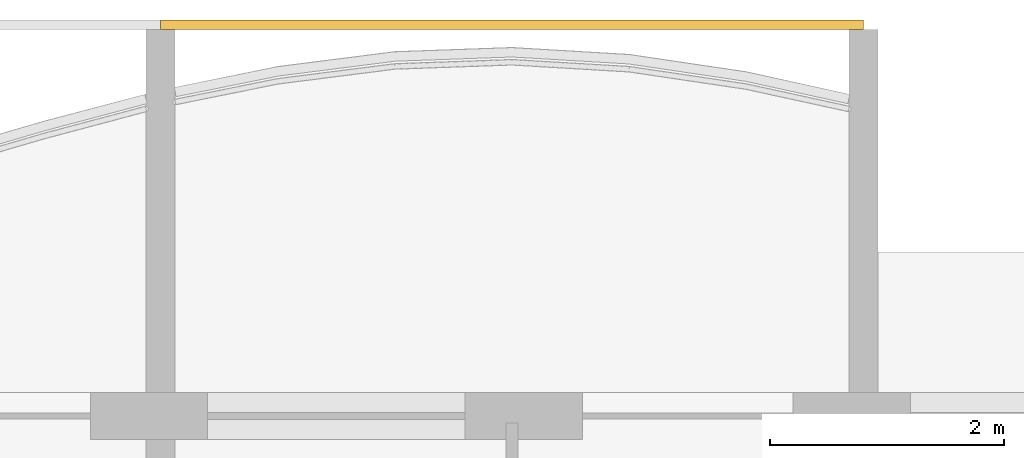
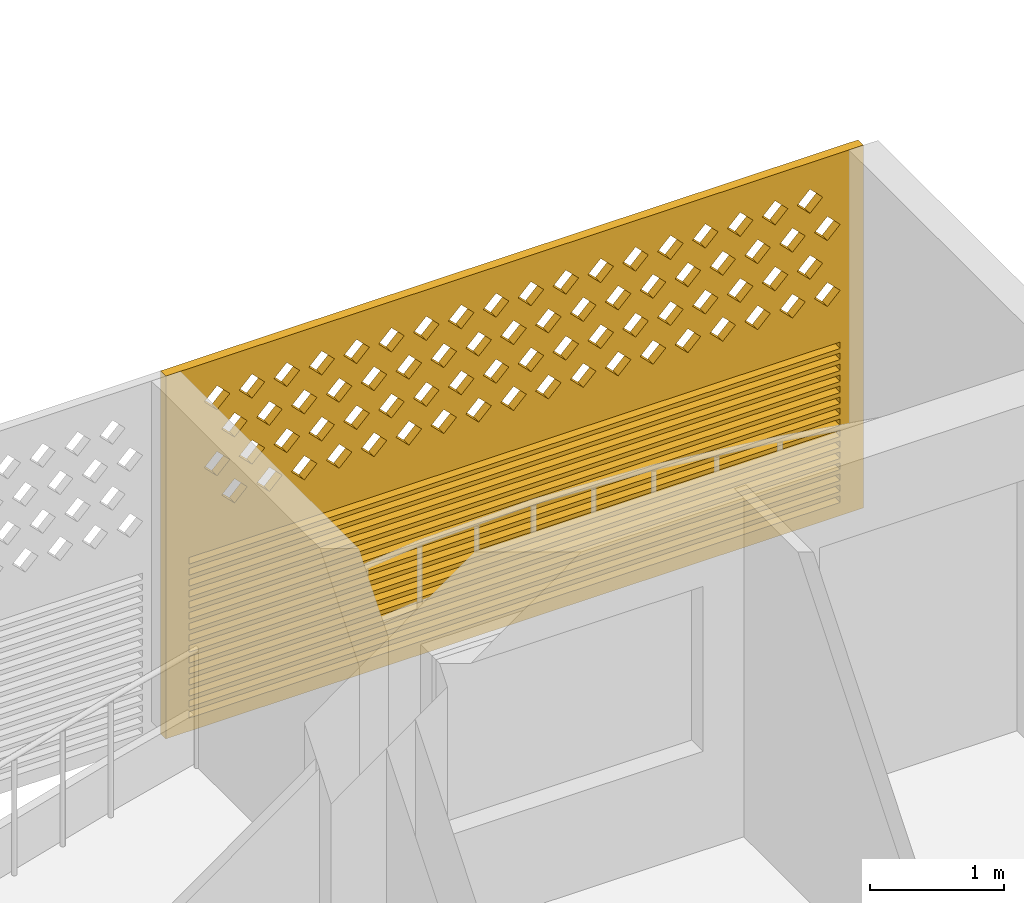
# One storey, part 22 of 26: 1 covering.
"""IFC4 building model written with IfcOpenShell, lengths in metres."""

from ifc_helpers import new_model, si_unit, direction, frame, origin, place, context, subcontext, project, spatial, polyline, outline, extrude, source, transform, mapped, material, material_profile, profile_set, type_object, element, save


model = new_model("IFC4")

# Units and contexts
model_context = context("Model", 3, precision=1e-05, world=origin(), true_north=direction((0.0, 1.0)))
body_context = subcontext(model_context, "Body", "Model", "MODEL_VIEW")
ifc_project = project(units=[si_unit("LENGTHUNIT", "METRE"), si_unit("AREAUNIT", "SQUARE_METRE"), si_unit("VOLUMEUNIT", "CUBIC_METRE"), si_unit("PLANEANGLEUNIT", "RADIAN"), si_unit("MASSUNIT", "GRAM", prefix="KILO")], contexts=[model_context])

# Site, building, storey
site_placement = place(None, origin())
site = spatial("IfcSite", under=ifc_project, at=site_placement, CompositionType="ELEMENT")
building_placement = place(site_placement, origin())
building = spatial("IfcBuilding", under=site, at=building_placement, Name="Poui Terraces", CompositionType="ELEMENT")
storey_placement = place(building_placement, frame((0.0, 0.0, 171.89990234375)))
storey = spatial("IfcBuildingStorey", under=building, at=storey_placement, Name="L47", CompositionType="ELEMENT", Elevation=171.89990234375)

# Covering
ifc_material = material(Name="Terracotta screen", Category="masonry")
ifc_material_profile = material_profile(ifc_material, outline(polyline([(-3.0, -1.64990234375), (3.0, -1.64990234375), (3.0, 1.64990234375), (-3.0, 1.64990234375), (-3.0, -1.64990234375)]), holes=[polyline([(-2.800048828125, 0.39990234375), (-2.68994140625, 0.2900390625), (-2.580078125, 0.39990234375), (-2.68994140625, 0.510009765625), (-2.800048828125, 0.39990234375)]), polyline([(-2.5, 0.39990234375), (-2.389892578125, 0.2900390625), (-2.280029296875, 0.39990234375), (-2.389892578125, 0.510009765625), (-2.5, 0.39990234375)]), polyline([(-2.199951171875, 0.39990234375), (-2.090087890625, 0.2900390625), (-1.97998046875, 0.39990234375), (-2.090087890625, 0.510009765625), (-2.199951171875, 0.39990234375)]), polyline([(-1.89990234375, 0.39990234375), (-1.7900390625, 0.2900390625), (-1.679931640625, 0.39990234375), (-1.7900390625, 0.510009765625), (-1.89990234375, 0.39990234375)]), polyline([(-1.60009765625, 0.39990234375), (-1.489990234375, 0.2900390625), (-1.3798828125, 0.39990234375), (-1.489990234375, 0.510009765625), (-1.60009765625, 0.39990234375)]), polyline([(-1.300048828125, 0.39990234375), (-1.18994140625, 0.2900390625), (-1.080078125, 0.39990234375), (-1.18994140625, 0.510009765625), (-1.300048828125, 0.39990234375)]), polyline([(-1.0, 0.39990234375), (-0.889892578125, 0.2900390625), (-0.780029296875, 0.39990234375), (-0.889892578125, 0.510009765625), (-1.0, 0.39990234375)]), polyline([(-0.699951171875, 0.39990234375), (-0.590087890625, 0.2900390625), (-0.47998046875, 0.39990234375), (-0.590087890625, 0.510009765625), (-0.699951171875, 0.39990234375)]), polyline([(-0.39990234375, 0.39990234375), (-0.2900390625, 0.2900390625), (-0.179931640625, 0.39990234375), (-0.2900390625, 0.510009765625), (-0.39990234375, 0.39990234375)]), polyline([(-0.10009765625, 0.39990234375), (0.010009765625, 0.2900390625), (0.1201171875, 0.39990234375), (0.010009765625, 0.510009765625), (-0.10009765625, 0.39990234375)]), polyline([(0.199951171875, 0.39990234375), (0.31005859375, 0.2900390625), (0.419921875, 0.39990234375), (0.31005859375, 0.510009765625), (0.199951171875, 0.39990234375)]), polyline([(0.5, 0.39990234375), (0.610107421875, 0.2900390625), (0.719970703125, 0.39990234375), (0.610107421875, 0.510009765625), (0.5, 0.39990234375)]), polyline([(0.800048828125, 0.39990234375), (0.909912109375, 0.2900390625), (1.02001953125, 0.39990234375), (0.909912109375, 0.510009765625), (0.800048828125, 0.39990234375)]), polyline([(1.10009765625, 0.39990234375), (1.2099609375, 0.2900390625), (1.320068359375, 0.39990234375), (1.2099609375, 0.510009765625), (1.10009765625, 0.39990234375)]), polyline([(1.39990234375, 0.39990234375), (1.510009765625, 0.2900390625), (1.6201171875, 0.39990234375), (1.510009765625, 0.510009765625), (1.39990234375, 0.39990234375)]), polyline([(1.699951171875, 0.39990234375), (1.81005859375, 0.2900390625), (1.919921875, 0.39990234375), (1.81005859375, 0.510009765625), (1.699951171875, 0.39990234375)]), polyline([(2.0, 0.39990234375), (2.110107421875, 0.2900390625), (2.219970703125, 0.39990234375), (2.110107421875, 0.510009765625), (2.0, 0.39990234375)]), polyline([(2.300048828125, 0.39990234375), (2.409912109375, 0.2900390625), (2.52001953125, 0.39990234375), (2.409912109375, 0.510009765625), (2.300048828125, 0.39990234375)]), polyline([(-2.64990234375, 0.699951171875), (-2.5400390625, 0.590087890625), (-2.429931640625, 0.699951171875), (-2.5400390625, 0.81005859375), (-2.64990234375, 0.699951171875)]), polyline([(-2.35009765625, 0.699951171875), (-2.239990234375, 0.590087890625), (-2.1298828125, 0.699951171875), (-2.239990234375, 0.81005859375), (-2.35009765625, 0.699951171875)]), polyline([(-2.050048828125, 0.699951171875), (-1.93994140625, 0.590087890625), (-1.830078125, 0.699951171875), (-1.93994140625, 0.81005859375), (-2.050048828125, 0.699951171875)]), polyline([(-1.75, 0.699951171875), (-1.639892578125, 0.590087890625), (-1.530029296875, 0.699951171875), (-1.639892578125, 0.81005859375), (-1.75, 0.699951171875)]), polyline([(-1.449951171875, 0.699951171875), (-1.340087890625, 0.590087890625), (-1.22998046875, 0.699951171875), (-1.340087890625, 0.81005859375), (-1.449951171875, 0.699951171875)]), polyline([(-1.14990234375, 0.699951171875), (-1.0400390625, 0.590087890625), (-0.929931640625, 0.699951171875), (-1.0400390625, 0.81005859375), (-1.14990234375, 0.699951171875)]), polyline([(-0.85009765625, 0.699951171875), (-0.739990234375, 0.590087890625), (-0.6298828125, 0.699951171875), (-0.739990234375, 0.81005859375), (-0.85009765625, 0.699951171875)]), polyline([(-0.550048828125, 0.699951171875), (-0.43994140625, 0.590087890625), (-0.330078125, 0.699951171875), (-0.43994140625, 0.81005859375), (-0.550048828125, 0.699951171875)]), polyline([(-0.25, 0.699951171875), (-0.139892578125, 0.590087890625), (-0.030029296875, 0.699951171875), (-0.139892578125, 0.81005859375), (-0.25, 0.699951171875)]), polyline([(0.050048828125, 0.699951171875), (0.159912109375, 0.590087890625), (0.27001953125, 0.699951171875), (0.159912109375, 0.81005859375), (0.050048828125, 0.699951171875)]), polyline([(0.35009765625, 0.699951171875), (0.4599609375, 0.590087890625), (0.570068359375, 0.699951171875), (0.4599609375, 0.81005859375), (0.35009765625, 0.699951171875)]), polyline([(0.64990234375, 0.699951171875), (0.760009765625, 0.590087890625), (0.8701171875, 0.699951171875), (0.760009765625, 0.81005859375), (0.64990234375, 0.699951171875)]), polyline([(0.949951171875, 0.699951171875), (1.06005859375, 0.590087890625), (1.169921875, 0.699951171875), (1.06005859375, 0.81005859375), (0.949951171875, 0.699951171875)]), polyline([(1.25, 0.699951171875), (1.360107421875, 0.590087890625), (1.469970703125, 0.699951171875), (1.360107421875, 0.81005859375), (1.25, 0.699951171875)]), polyline([(1.550048828125, 0.699951171875), (1.659912109375, 0.590087890625), (1.77001953125, 0.699951171875), (1.659912109375, 0.81005859375), (1.550048828125, 0.699951171875)]), polyline([(1.85009765625, 0.699951171875), (1.9599609375, 0.590087890625), (2.070068359375, 0.699951171875), (1.9599609375, 0.81005859375), (1.85009765625, 0.699951171875)]), polyline([(2.14990234375, 0.699951171875), (2.260009765625, 0.590087890625), (2.3701171875, 0.699951171875), (2.260009765625, 0.81005859375), (2.14990234375, 0.699951171875)]), polyline([(2.449951171875, 0.699951171875), (2.56005859375, 0.590087890625), (2.669921875, 0.699951171875), (2.56005859375, 0.81005859375), (2.449951171875, 0.699951171875)]), polyline([(-2.800048828125, 1.0), (-2.68994140625, 0.889892578125), (-2.580078125, 1.0), (-2.68994140625, 1.110107421875), (-2.800048828125, 1.0)]), polyline([(-2.5, 1.0), (-2.389892578125, 0.889892578125), (-2.280029296875, 1.0), (-2.389892578125, 1.110107421875), (-2.5, 1.0)]), polyline([(-2.199951171875, 1.0), (-2.090087890625, 0.889892578125), (-1.97998046875, 1.0), (-2.090087890625, 1.110107421875), (-2.199951171875, 1.0)]), polyline([(-1.89990234375, 1.0), (-1.7900390625, 0.889892578125), (-1.679931640625, 1.0), (-1.7900390625, 1.110107421875), (-1.89990234375, 1.0)]), polyline([(-1.60009765625, 1.0), (-1.489990234375, 0.889892578125), (-1.3798828125, 1.0), (-1.489990234375, 1.110107421875), (-1.60009765625, 1.0)]), polyline([(-1.300048828125, 1.0), (-1.18994140625, 0.889892578125), (-1.080078125, 1.0), (-1.18994140625, 1.110107421875), (-1.300048828125, 1.0)]), polyline([(-1.0, 1.0), (-0.889892578125, 0.889892578125), (-0.780029296875, 1.0), (-0.889892578125, 1.110107421875), (-1.0, 1.0)]), polyline([(-0.699951171875, 1.0), (-0.590087890625, 0.889892578125), (-0.47998046875, 1.0), (-0.590087890625, 1.110107421875), (-0.699951171875, 1.0)]), polyline([(-0.39990234375, 1.0), (-0.2900390625, 0.889892578125), (-0.179931640625, 1.0), (-0.2900390625, 1.110107421875), (-0.39990234375, 1.0)]), polyline([(-0.10009765625, 1.0), (0.010009765625, 0.889892578125), (0.1201171875, 1.0), (0.010009765625, 1.110107421875), (-0.10009765625, 1.0)]), polyline([(0.199951171875, 1.0), (0.31005859375, 0.889892578125), (0.419921875, 1.0), (0.31005859375, 1.110107421875), (0.199951171875, 1.0)]), polyline([(0.5, 1.0), (0.610107421875, 0.889892578125), (0.719970703125, 1.0), (0.610107421875, 1.110107421875), (0.5, 1.0)]), polyline([(0.800048828125, 1.0), (0.909912109375, 0.889892578125), (1.02001953125, 1.0), (0.909912109375, 1.110107421875), (0.800048828125, 1.0)]), polyline([(1.10009765625, 1.0), (1.2099609375, 0.889892578125), (1.320068359375, 1.0), (1.2099609375, 1.110107421875), (1.10009765625, 1.0)]), polyline([(1.39990234375, 1.0), (1.510009765625, 0.889892578125), (1.6201171875, 1.0), (1.510009765625, 1.110107421875), (1.39990234375, 1.0)]), polyline([(1.699951171875, 1.0), (1.81005859375, 0.889892578125), (1.919921875, 1.0), (1.81005859375, 1.110107421875), (1.699951171875, 1.0)]), polyline([(2.0, 1.0), (2.110107421875, 0.889892578125), (2.219970703125, 1.0), (2.110107421875, 1.110107421875), (2.0, 1.0)]), polyline([(2.300048828125, 1.0), (2.409912109375, 0.889892578125), (2.52001953125, 1.0), (2.409912109375, 1.110107421875), (2.300048828125, 1.0)]), polyline([(-2.64990234375, 1.300048828125), (-2.5400390625, 1.18994140625), (-2.429931640625, 1.300048828125), (-2.5400390625, 1.409912109375), (-2.64990234375, 1.300048828125)]), polyline([(-2.35009765625, 1.300048828125), (-2.239990234375, 1.18994140625), (-2.1298828125, 1.300048828125), (-2.239990234375, 1.409912109375), (-2.35009765625, 1.300048828125)]), polyline([(-2.050048828125, 1.300048828125), (-1.93994140625, 1.18994140625), (-1.830078125, 1.300048828125), (-1.93994140625, 1.409912109375), (-2.050048828125, 1.300048828125)]), polyline([(-1.75, 1.300048828125), (-1.639892578125, 1.18994140625), (-1.530029296875, 1.300048828125), (-1.639892578125, 1.409912109375), (-1.75, 1.300048828125)]), polyline([(-1.449951171875, 1.300048828125), (-1.340087890625, 1.18994140625), (-1.22998046875, 1.300048828125), (-1.340087890625, 1.409912109375), (-1.449951171875, 1.300048828125)]), polyline([(-1.14990234375, 1.300048828125), (-1.0400390625, 1.18994140625), (-0.929931640625, 1.300048828125), (-1.0400390625, 1.409912109375), (-1.14990234375, 1.300048828125)]), polyline([(-0.85009765625, 1.300048828125), (-0.739990234375, 1.18994140625), (-0.6298828125, 1.300048828125), (-0.739990234375, 1.409912109375), (-0.85009765625, 1.300048828125)]), polyline([(-0.550048828125, 1.300048828125), (-0.43994140625, 1.18994140625), (-0.330078125, 1.300048828125), (-0.43994140625, 1.409912109375), (-0.550048828125, 1.300048828125)]), polyline([(-0.25, 1.300048828125), (-0.139892578125, 1.18994140625), (-0.030029296875, 1.300048828125), (-0.139892578125, 1.409912109375), (-0.25, 1.300048828125)]), polyline([(0.050048828125, 1.300048828125), (0.159912109375, 1.18994140625), (0.27001953125, 1.300048828125), (0.159912109375, 1.409912109375), (0.050048828125, 1.300048828125)]), polyline([(0.35009765625, 1.300048828125), (0.4599609375, 1.18994140625), (0.570068359375, 1.300048828125), (0.4599609375, 1.409912109375), (0.35009765625, 1.300048828125)]), polyline([(0.64990234375, 1.300048828125), (0.760009765625, 1.18994140625), (0.8701171875, 1.300048828125), (0.760009765625, 1.409912109375), (0.64990234375, 1.300048828125)]), polyline([(0.949951171875, 1.300048828125), (1.06005859375, 1.18994140625), (1.169921875, 1.300048828125), (1.06005859375, 1.409912109375), (0.949951171875, 1.300048828125)]), polyline([(1.25, 1.300048828125), (1.360107421875, 1.18994140625), (1.469970703125, 1.300048828125), (1.360107421875, 1.409912109375), (1.25, 1.300048828125)]), polyline([(1.550048828125, 1.300048828125), (1.659912109375, 1.18994140625), (1.77001953125, 1.300048828125), (1.659912109375, 1.409912109375), (1.550048828125, 1.300048828125)]), polyline([(1.85009765625, 1.300048828125), (1.9599609375, 1.18994140625), (2.070068359375, 1.300048828125), (1.9599609375, 1.409912109375), (1.85009765625, 1.300048828125)]), polyline([(2.14990234375, 1.300048828125), (2.260009765625, 1.18994140625), (2.3701171875, 1.300048828125), (2.260009765625, 1.409912109375), (2.14990234375, 1.300048828125)]), polyline([(2.449951171875, 1.300048828125), (2.56005859375, 1.18994140625), (2.669921875, 1.300048828125), (2.56005859375, 1.409912109375), (2.449951171875, 1.300048828125)]), polyline([(-2.800048828125, -1.530029296875), (2.800048828125, -1.530029296875), (2.800048828125, -1.469970703125), (-2.800048828125, -1.469970703125), (-2.800048828125, -1.530029296875)]), polyline([(-2.800048828125, -1.429931640625), (2.800048828125, -1.429931640625), (2.800048828125, -1.3701171875), (-2.800048828125, -1.3701171875), (-2.800048828125, -1.429931640625)]), polyline([(-2.800048828125, -1.330078125), (2.800048828125, -1.330078125), (2.800048828125, -1.27001953125), (-2.800048828125, -1.27001953125), (-2.800048828125, -1.330078125)]), polyline([(-2.800048828125, -1.22998046875), (2.800048828125, -1.22998046875), (2.800048828125, -1.169921875), (-2.800048828125, -1.169921875), (-2.800048828125, -1.22998046875)]), polyline([(-2.800048828125, -1.1298828125), (2.800048828125, -1.1298828125), (2.800048828125, -1.070068359375), (-2.800048828125, -1.070068359375), (-2.800048828125, -1.1298828125)]), polyline([(-2.800048828125, -1.030029296875), (2.800048828125, -1.030029296875), (2.800048828125, -0.969970703125), (-2.800048828125, -0.969970703125), (-2.800048828125, -1.030029296875)]), polyline([(-2.800048828125, -0.929931640625), (2.800048828125, -0.929931640625), (2.800048828125, -0.8701171875), (-2.800048828125, -0.8701171875), (-2.800048828125, -0.929931640625)]), polyline([(-2.800048828125, -0.830078125), (2.800048828125, -0.830078125), (2.800048828125, -0.77001953125), (-2.800048828125, -0.77001953125), (-2.800048828125, -0.830078125)]), polyline([(-2.800048828125, -0.72998046875), (2.800048828125, -0.72998046875), (2.800048828125, -0.669921875), (-2.800048828125, -0.669921875), (-2.800048828125, -0.72998046875)]), polyline([(-2.800048828125, -0.6298828125), (2.800048828125, -0.6298828125), (2.800048828125, -0.570068359375), (-2.800048828125, -0.570068359375), (-2.800048828125, -0.6298828125)]), polyline([(-2.800048828125, -0.530029296875), (2.800048828125, -0.530029296875), (2.800048828125, -0.469970703125), (-2.800048828125, -0.469970703125), (-2.800048828125, -0.530029296875)]), polyline([(-2.800048828125, -0.429931640625), (2.800048828125, -0.429931640625), (2.800048828125, -0.3701171875), (-2.800048828125, -0.3701171875), (-2.800048828125, -0.429931640625)]), polyline([(-2.800048828125, -0.330078125), (2.800048828125, -0.330078125), (2.800048828125, -0.27001953125), (-2.800048828125, -0.27001953125), (-2.800048828125, -0.330078125)]), polyline([(-2.800048828125, -0.22998046875), (2.800048828125, -0.22998046875), (2.800048828125, -0.169921875), (-2.800048828125, -0.169921875), (-2.800048828125, -0.22998046875)]), polyline([(-2.800048828125, -0.1298828125), (2.800048828125, -0.1298828125), (2.800048828125, -0.070068359375), (-2.800048828125, -0.070068359375), (-2.800048828125, -0.1298828125)])]), Name="TERRACOTTA SCREEN AND JALOUSIE LOUVRE 6000X3300")
ifc_profile_set = profile_set([ifc_material_profile], Name="Terracotta screen")
covering_type = type_object("IfcCoveringType", Name="TERRACOTTA SCREEN AND JALOUSIE LOUVRE 6000X3300", PredefinedType="CLADDING", material=ifc_profile_set)
shared_shape = source(origin(), body_context, "Body", "SweptSolid", [
    extrude(outline(polyline([(-3.0, -1.64990234375), (3.0, -1.64990234375), (3.0, 1.64990234375), (-3.0, 1.64990234375), (-3.0, -1.64990234375)]), holes=[polyline([(-2.800048828125, 0.39990234375), (-2.68994140625, 0.2900390625), (-2.580078125, 0.39990234375), (-2.68994140625, 0.510009765625), (-2.800048828125, 0.39990234375)]), polyline([(-2.5, 0.39990234375), (-2.389892578125, 0.2900390625), (-2.280029296875, 0.39990234375), (-2.389892578125, 0.510009765625), (-2.5, 0.39990234375)]), polyline([(-2.199951171875, 0.39990234375), (-2.090087890625, 0.2900390625), (-1.97998046875, 0.39990234375), (-2.090087890625, 0.510009765625), (-2.199951171875, 0.39990234375)]), polyline([(-1.89990234375, 0.39990234375), (-1.7900390625, 0.2900390625), (-1.679931640625, 0.39990234375), (-1.7900390625, 0.510009765625), (-1.89990234375, 0.39990234375)]), polyline([(-1.60009765625, 0.39990234375), (-1.489990234375, 0.2900390625), (-1.3798828125, 0.39990234375), (-1.489990234375, 0.510009765625), (-1.60009765625, 0.39990234375)]), polyline([(-1.300048828125, 0.39990234375), (-1.18994140625, 0.2900390625), (-1.080078125, 0.39990234375), (-1.18994140625, 0.510009765625), (-1.300048828125, 0.39990234375)]), polyline([(-1.0, 0.39990234375), (-0.889892578125, 0.2900390625), (-0.780029296875, 0.39990234375), (-0.889892578125, 0.510009765625), (-1.0, 0.39990234375)]), polyline([(-0.699951171875, 0.39990234375), (-0.590087890625, 0.2900390625), (-0.47998046875, 0.39990234375), (-0.590087890625, 0.510009765625), (-0.699951171875, 0.39990234375)]), polyline([(-0.39990234375, 0.39990234375), (-0.2900390625, 0.2900390625), (-0.179931640625, 0.39990234375), (-0.2900390625, 0.510009765625), (-0.39990234375, 0.39990234375)]), polyline([(-0.10009765625, 0.39990234375), (0.010009765625, 0.2900390625), (0.1201171875, 0.39990234375), (0.010009765625, 0.510009765625), (-0.10009765625, 0.39990234375)]), polyline([(0.199951171875, 0.39990234375), (0.31005859375, 0.2900390625), (0.419921875, 0.39990234375), (0.31005859375, 0.510009765625), (0.199951171875, 0.39990234375)]), polyline([(0.5, 0.39990234375), (0.610107421875, 0.2900390625), (0.719970703125, 0.39990234375), (0.610107421875, 0.510009765625), (0.5, 0.39990234375)]), polyline([(0.800048828125, 0.39990234375), (0.909912109375, 0.2900390625), (1.02001953125, 0.39990234375), (0.909912109375, 0.510009765625), (0.800048828125, 0.39990234375)]), polyline([(1.10009765625, 0.39990234375), (1.2099609375, 0.2900390625), (1.320068359375, 0.39990234375), (1.2099609375, 0.510009765625), (1.10009765625, 0.39990234375)]), polyline([(1.39990234375, 0.39990234375), (1.510009765625, 0.2900390625), (1.6201171875, 0.39990234375), (1.510009765625, 0.510009765625), (1.39990234375, 0.39990234375)]), polyline([(1.699951171875, 0.39990234375), (1.81005859375, 0.2900390625), (1.919921875, 0.39990234375), (1.81005859375, 0.510009765625), (1.699951171875, 0.39990234375)]), polyline([(2.0, 0.39990234375), (2.110107421875, 0.2900390625), (2.219970703125, 0.39990234375), (2.110107421875, 0.510009765625), (2.0, 0.39990234375)]), polyline([(2.300048828125, 0.39990234375), (2.409912109375, 0.2900390625), (2.52001953125, 0.39990234375), (2.409912109375, 0.510009765625), (2.300048828125, 0.39990234375)]), polyline([(-2.64990234375, 0.699951171875), (-2.5400390625, 0.590087890625), (-2.429931640625, 0.699951171875), (-2.5400390625, 0.81005859375), (-2.64990234375, 0.699951171875)]), polyline([(-2.35009765625, 0.699951171875), (-2.239990234375, 0.590087890625), (-2.1298828125, 0.699951171875), (-2.239990234375, 0.81005859375), (-2.35009765625, 0.699951171875)]), polyline([(-2.050048828125, 0.699951171875), (-1.93994140625, 0.590087890625), (-1.830078125, 0.699951171875), (-1.93994140625, 0.81005859375), (-2.050048828125, 0.699951171875)]), polyline([(-1.75, 0.699951171875), (-1.639892578125, 0.590087890625), (-1.530029296875, 0.699951171875), (-1.639892578125, 0.81005859375), (-1.75, 0.699951171875)]), polyline([(-1.449951171875, 0.699951171875), (-1.340087890625, 0.590087890625), (-1.22998046875, 0.699951171875), (-1.340087890625, 0.81005859375), (-1.449951171875, 0.699951171875)]), polyline([(-1.14990234375, 0.699951171875), (-1.0400390625, 0.590087890625), (-0.929931640625, 0.699951171875), (-1.0400390625, 0.81005859375), (-1.14990234375, 0.699951171875)]), polyline([(-0.85009765625, 0.699951171875), (-0.739990234375, 0.590087890625), (-0.6298828125, 0.699951171875), (-0.739990234375, 0.81005859375), (-0.85009765625, 0.699951171875)]), polyline([(-0.550048828125, 0.699951171875), (-0.43994140625, 0.590087890625), (-0.330078125, 0.699951171875), (-0.43994140625, 0.81005859375), (-0.550048828125, 0.699951171875)]), polyline([(-0.25, 0.699951171875), (-0.139892578125, 0.590087890625), (-0.030029296875, 0.699951171875), (-0.139892578125, 0.81005859375), (-0.25, 0.699951171875)]), polyline([(0.050048828125, 0.699951171875), (0.159912109375, 0.590087890625), (0.27001953125, 0.699951171875), (0.159912109375, 0.81005859375), (0.050048828125, 0.699951171875)]), polyline([(0.35009765625, 0.699951171875), (0.4599609375, 0.590087890625), (0.570068359375, 0.699951171875), (0.4599609375, 0.81005859375), (0.35009765625, 0.699951171875)]), polyline([(0.64990234375, 0.699951171875), (0.760009765625, 0.590087890625), (0.8701171875, 0.699951171875), (0.760009765625, 0.81005859375), (0.64990234375, 0.699951171875)]), polyline([(0.949951171875, 0.699951171875), (1.06005859375, 0.590087890625), (1.169921875, 0.699951171875), (1.06005859375, 0.81005859375), (0.949951171875, 0.699951171875)]), polyline([(1.25, 0.699951171875), (1.360107421875, 0.590087890625), (1.469970703125, 0.699951171875), (1.360107421875, 0.81005859375), (1.25, 0.699951171875)]), polyline([(1.550048828125, 0.699951171875), (1.659912109375, 0.590087890625), (1.77001953125, 0.699951171875), (1.659912109375, 0.81005859375), (1.550048828125, 0.699951171875)]), polyline([(1.85009765625, 0.699951171875), (1.9599609375, 0.590087890625), (2.070068359375, 0.699951171875), (1.9599609375, 0.81005859375), (1.85009765625, 0.699951171875)]), polyline([(2.14990234375, 0.699951171875), (2.260009765625, 0.590087890625), (2.3701171875, 0.699951171875), (2.260009765625, 0.81005859375), (2.14990234375, 0.699951171875)]), polyline([(2.449951171875, 0.699951171875), (2.56005859375, 0.590087890625), (2.669921875, 0.699951171875), (2.56005859375, 0.81005859375), (2.449951171875, 0.699951171875)]), polyline([(-2.800048828125, 1.0), (-2.68994140625, 0.889892578125), (-2.580078125, 1.0), (-2.68994140625, 1.110107421875), (-2.800048828125, 1.0)]), polyline([(-2.5, 1.0), (-2.389892578125, 0.889892578125), (-2.280029296875, 1.0), (-2.389892578125, 1.110107421875), (-2.5, 1.0)]), polyline([(-2.199951171875, 1.0), (-2.090087890625, 0.889892578125), (-1.97998046875, 1.0), (-2.090087890625, 1.110107421875), (-2.199951171875, 1.0)]), polyline([(-1.89990234375, 1.0), (-1.7900390625, 0.889892578125), (-1.679931640625, 1.0), (-1.7900390625, 1.110107421875), (-1.89990234375, 1.0)]), polyline([(-1.60009765625, 1.0), (-1.489990234375, 0.889892578125), (-1.3798828125, 1.0), (-1.489990234375, 1.110107421875), (-1.60009765625, 1.0)]), polyline([(-1.300048828125, 1.0), (-1.18994140625, 0.889892578125), (-1.080078125, 1.0), (-1.18994140625, 1.110107421875), (-1.300048828125, 1.0)]), polyline([(-1.0, 1.0), (-0.889892578125, 0.889892578125), (-0.780029296875, 1.0), (-0.889892578125, 1.110107421875), (-1.0, 1.0)]), polyline([(-0.699951171875, 1.0), (-0.590087890625, 0.889892578125), (-0.47998046875, 1.0), (-0.590087890625, 1.110107421875), (-0.699951171875, 1.0)]), polyline([(-0.39990234375, 1.0), (-0.2900390625, 0.889892578125), (-0.179931640625, 1.0), (-0.2900390625, 1.110107421875), (-0.39990234375, 1.0)]), polyline([(-0.10009765625, 1.0), (0.010009765625, 0.889892578125), (0.1201171875, 1.0), (0.010009765625, 1.110107421875), (-0.10009765625, 1.0)]), polyline([(0.199951171875, 1.0), (0.31005859375, 0.889892578125), (0.419921875, 1.0), (0.31005859375, 1.110107421875), (0.199951171875, 1.0)]), polyline([(0.5, 1.0), (0.610107421875, 0.889892578125), (0.719970703125, 1.0), (0.610107421875, 1.110107421875), (0.5, 1.0)]), polyline([(0.800048828125, 1.0), (0.909912109375, 0.889892578125), (1.02001953125, 1.0), (0.909912109375, 1.110107421875), (0.800048828125, 1.0)]), polyline([(1.10009765625, 1.0), (1.2099609375, 0.889892578125), (1.320068359375, 1.0), (1.2099609375, 1.110107421875), (1.10009765625, 1.0)]), polyline([(1.39990234375, 1.0), (1.510009765625, 0.889892578125), (1.6201171875, 1.0), (1.510009765625, 1.110107421875), (1.39990234375, 1.0)]), polyline([(1.699951171875, 1.0), (1.81005859375, 0.889892578125), (1.919921875, 1.0), (1.81005859375, 1.110107421875), (1.699951171875, 1.0)]), polyline([(2.0, 1.0), (2.110107421875, 0.889892578125), (2.219970703125, 1.0), (2.110107421875, 1.110107421875), (2.0, 1.0)]), polyline([(2.300048828125, 1.0), (2.409912109375, 0.889892578125), (2.52001953125, 1.0), (2.409912109375, 1.110107421875), (2.300048828125, 1.0)]), polyline([(-2.64990234375, 1.300048828125), (-2.5400390625, 1.18994140625), (-2.429931640625, 1.300048828125), (-2.5400390625, 1.409912109375), (-2.64990234375, 1.300048828125)]), polyline([(-2.35009765625, 1.300048828125), (-2.239990234375, 1.18994140625), (-2.1298828125, 1.300048828125), (-2.239990234375, 1.409912109375), (-2.35009765625, 1.300048828125)]), polyline([(-2.050048828125, 1.300048828125), (-1.93994140625, 1.18994140625), (-1.830078125, 1.300048828125), (-1.93994140625, 1.409912109375), (-2.050048828125, 1.300048828125)]), polyline([(-1.75, 1.300048828125), (-1.639892578125, 1.18994140625), (-1.530029296875, 1.300048828125), (-1.639892578125, 1.409912109375), (-1.75, 1.300048828125)]), polyline([(-1.449951171875, 1.300048828125), (-1.340087890625, 1.18994140625), (-1.22998046875, 1.300048828125), (-1.340087890625, 1.409912109375), (-1.449951171875, 1.300048828125)]), polyline([(-1.14990234375, 1.300048828125), (-1.0400390625, 1.18994140625), (-0.929931640625, 1.300048828125), (-1.0400390625, 1.409912109375), (-1.14990234375, 1.300048828125)]), polyline([(-0.85009765625, 1.300048828125), (-0.739990234375, 1.18994140625), (-0.6298828125, 1.300048828125), (-0.739990234375, 1.409912109375), (-0.85009765625, 1.300048828125)]), polyline([(-0.550048828125, 1.300048828125), (-0.43994140625, 1.18994140625), (-0.330078125, 1.300048828125), (-0.43994140625, 1.409912109375), (-0.550048828125, 1.300048828125)]), polyline([(-0.25, 1.300048828125), (-0.139892578125, 1.18994140625), (-0.030029296875, 1.300048828125), (-0.139892578125, 1.409912109375), (-0.25, 1.300048828125)]), polyline([(0.050048828125, 1.300048828125), (0.159912109375, 1.18994140625), (0.27001953125, 1.300048828125), (0.159912109375, 1.409912109375), (0.050048828125, 1.300048828125)]), polyline([(0.35009765625, 1.300048828125), (0.4599609375, 1.18994140625), (0.570068359375, 1.300048828125), (0.4599609375, 1.409912109375), (0.35009765625, 1.300048828125)]), polyline([(0.64990234375, 1.300048828125), (0.760009765625, 1.18994140625), (0.8701171875, 1.300048828125), (0.760009765625, 1.409912109375), (0.64990234375, 1.300048828125)]), polyline([(0.949951171875, 1.300048828125), (1.06005859375, 1.18994140625), (1.169921875, 1.300048828125), (1.06005859375, 1.409912109375), (0.949951171875, 1.300048828125)]), polyline([(1.25, 1.300048828125), (1.360107421875, 1.18994140625), (1.469970703125, 1.300048828125), (1.360107421875, 1.409912109375), (1.25, 1.300048828125)]), polyline([(1.550048828125, 1.300048828125), (1.659912109375, 1.18994140625), (1.77001953125, 1.300048828125), (1.659912109375, 1.409912109375), (1.550048828125, 1.300048828125)]), polyline([(1.85009765625, 1.300048828125), (1.9599609375, 1.18994140625), (2.070068359375, 1.300048828125), (1.9599609375, 1.409912109375), (1.85009765625, 1.300048828125)]), polyline([(2.14990234375, 1.300048828125), (2.260009765625, 1.18994140625), (2.3701171875, 1.300048828125), (2.260009765625, 1.409912109375), (2.14990234375, 1.300048828125)]), polyline([(2.449951171875, 1.300048828125), (2.56005859375, 1.18994140625), (2.669921875, 1.300048828125), (2.56005859375, 1.409912109375), (2.449951171875, 1.300048828125)]), polyline([(-2.800048828125, -1.530029296875), (2.800048828125, -1.530029296875), (2.800048828125, -1.469970703125), (-2.800048828125, -1.469970703125), (-2.800048828125, -1.530029296875)]), polyline([(-2.800048828125, -1.429931640625), (2.800048828125, -1.429931640625), (2.800048828125, -1.3701171875), (-2.800048828125, -1.3701171875), (-2.800048828125, -1.429931640625)]), polyline([(-2.800048828125, -1.330078125), (2.800048828125, -1.330078125), (2.800048828125, -1.27001953125), (-2.800048828125, -1.27001953125), (-2.800048828125, -1.330078125)]), polyline([(-2.800048828125, -1.22998046875), (2.800048828125, -1.22998046875), (2.800048828125, -1.169921875), (-2.800048828125, -1.169921875), (-2.800048828125, -1.22998046875)]), polyline([(-2.800048828125, -1.1298828125), (2.800048828125, -1.1298828125), (2.800048828125, -1.070068359375), (-2.800048828125, -1.070068359375), (-2.800048828125, -1.1298828125)]), polyline([(-2.800048828125, -1.030029296875), (2.800048828125, -1.030029296875), (2.800048828125, -0.969970703125), (-2.800048828125, -0.969970703125), (-2.800048828125, -1.030029296875)]), polyline([(-2.800048828125, -0.929931640625), (2.800048828125, -0.929931640625), (2.800048828125, -0.8701171875), (-2.800048828125, -0.8701171875), (-2.800048828125, -0.929931640625)]), polyline([(-2.800048828125, -0.830078125), (2.800048828125, -0.830078125), (2.800048828125, -0.77001953125), (-2.800048828125, -0.77001953125), (-2.800048828125, -0.830078125)]), polyline([(-2.800048828125, -0.72998046875), (2.800048828125, -0.72998046875), (2.800048828125, -0.669921875), (-2.800048828125, -0.669921875), (-2.800048828125, -0.72998046875)]), polyline([(-2.800048828125, -0.6298828125), (2.800048828125, -0.6298828125), (2.800048828125, -0.570068359375), (-2.800048828125, -0.570068359375), (-2.800048828125, -0.6298828125)]), polyline([(-2.800048828125, -0.530029296875), (2.800048828125, -0.530029296875), (2.800048828125, -0.469970703125), (-2.800048828125, -0.469970703125), (-2.800048828125, -0.530029296875)]), polyline([(-2.800048828125, -0.429931640625), (2.800048828125, -0.429931640625), (2.800048828125, -0.3701171875), (-2.800048828125, -0.3701171875), (-2.800048828125, -0.429931640625)]), polyline([(-2.800048828125, -0.330078125), (2.800048828125, -0.330078125), (2.800048828125, -0.27001953125), (-2.800048828125, -0.27001953125), (-2.800048828125, -0.330078125)]), polyline([(-2.800048828125, -0.22998046875), (2.800048828125, -0.22998046875), (2.800048828125, -0.169921875), (-2.800048828125, -0.169921875), (-2.800048828125, -0.22998046875)]), polyline([(-2.800048828125, -0.1298828125), (2.800048828125, -0.1298828125), (2.800048828125, -0.070068359375), (-2.800048828125, -0.070068359375), (-2.800048828125, -0.1298828125)])]), origin(), (0.0, 0.0, 1.0), 0.080078125),
])
covering_placement = place(storey_placement, frame((57.0, 44.5, 1.4501953125), z_axis=(0.0, 1.0, 0.0), x_axis=(-1.0, 0.0, 0.0)))
element("IfcCovering", 1, at=covering_placement, inside=storey, type_object=covering_type, Name="SOLAR SCREEN AND JALOUSIE LOUVRE", PredefinedType="CLADDING", context=body_context, shape_type="MappedRepresentation", body=[
    mapped(shared_shape, transform((0.0, 0.0, 0.0))),
])

save(model, "model.ifc")
